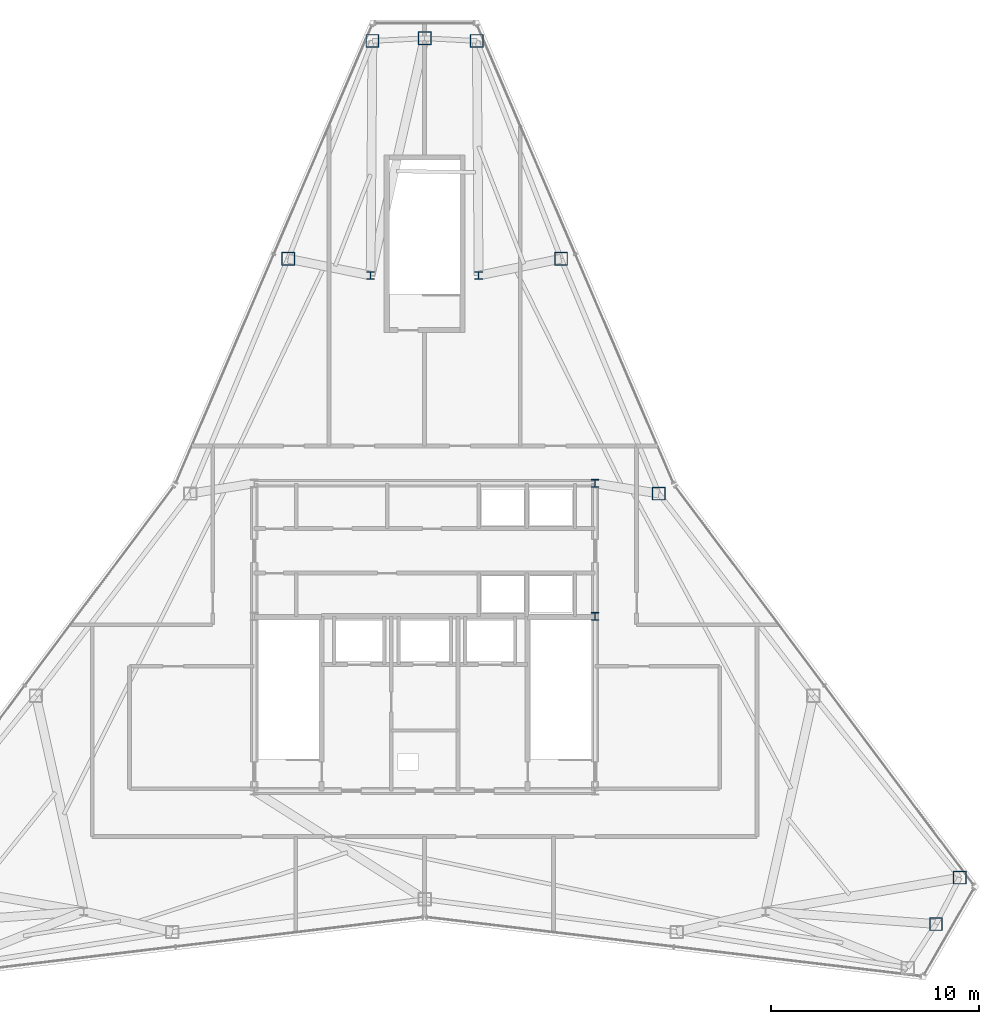
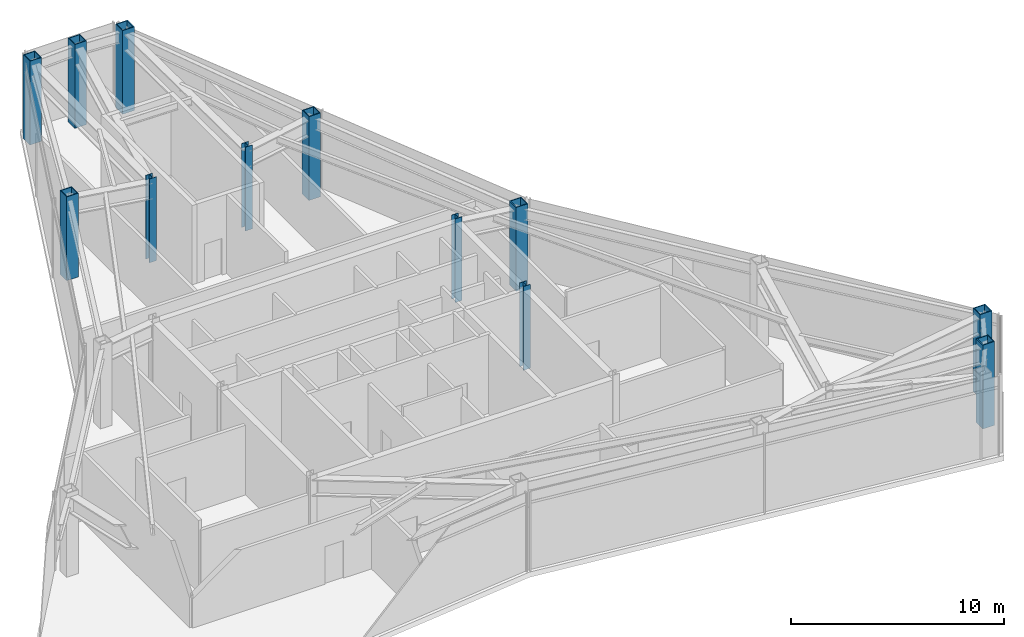
# One storey, part 2 of 11: 12 columns.
"""IFC4 building model written with IfcOpenShell, lengths in metres."""

from ifc_helpers import new_model, si_unit, direction, frame, origin, origin_2d, place, context, subcontext, project, spatial, hollow_rectangle, i_section, extrude, material, material_profile, profile_set, type_object, element, save


model = new_model("IFC4")

# Units and contexts
model_context = context("Model", 3, precision=1e-05, world=origin(), true_north=direction((0.0, 1.0)))
body_context = subcontext(model_context, "Body", "Model", "MODEL_VIEW")
ifc_project = project(units=[si_unit("LENGTHUNIT", "METRE"), si_unit("AREAUNIT", "SQUARE_METRE"), si_unit("VOLUMEUNIT", "CUBIC_METRE"), si_unit("PLANEANGLEUNIT", "RADIAN"), si_unit("MASSUNIT", "GRAM", prefix="KILO")], contexts=[model_context])

# Site, building, storey
site_placement = place(None, origin())
site = spatial("IfcSite", under=ifc_project, at=site_placement, CompositionType="ELEMENT")
building_placement = place(site_placement, origin())
building = spatial("IfcBuilding", under=site, at=building_placement, Name="Varakhsha Concourse Tower", CompositionType="ELEMENT")
storey_placement = place(building_placement, frame((0.0, 0.0, 290.0)))
storey = spatial("IfcBuildingStorey", under=building, at=storey_placement, Name="L82", CompositionType="ELEMENT", Elevation=290.0)

# Columns
ifc_material_1 = material(Name="Structural Steel ASTM A992 Grade 50", Category="steel")
ifc_material_profile_1 = material_profile(ifc_material_1, i_section(OverallWidth=0.3740234375, OverallDepth=0.3720703125, WebThickness=0.01611328125, FlangeThickness=0.02587890625, at=origin_2d()), Name="W14X132")
ifc_profile_set_1 = profile_set([ifc_material_profile_1], Name="Structural Steel ASTM A992 Grade 50")
column_type_1 = type_object("IfcColumnType", Name="CL-CORE-W14X132", PredefinedType="COLUMN", material=ifc_profile_set_1)
for number, where, z_axis, x_axis, name in (
    (1, (48.199951171875, 24.800048828125, 0.0), (0.0, 0.0, 1.0), (1.0, 0.0, 0.0), "L82 Core Column CC-ME"),
    (2, (48.199951171875, 31.199951171875, 0.0), (0.0, 0.0, 1.0), (1.0, 0.0, 0.0), "L82 Core Column CC-NE"),
    (3, (37.39990234375, 41.199951171875, 0.0), (0.0, 0.0, 1.0), (1.0, 0.0, 0.0), "L82 Core Column NS-W"),
    (4, (42.60009765625, 41.199951171875, 0.0), (0.0, 0.0, 1.0), (1.0, 0.0, 0.0), "L82 Core Column NS-E"),
):
    element("IfcColumn", number, at=place(storey_placement, frame(where, z_axis=z_axis, x_axis=x_axis)), inside=storey, type_object=column_type_1, Name=name, PredefinedType="COLUMN", context=body_context, shape_type="SweptSolid", body=[
        extrude(i_section(OverallWidth=0.3740234375, OverallDepth=0.3720703125, WebThickness=0.01611328125, FlangeThickness=0.02587890625, at=origin_2d()), origin(), (0.0, 0.0, 1.0), 4.800048828125),
    ])
ifc_material_2 = material(Name="Structural Steel ASTM A572 Grade 50", Category="steel")
ifc_material_profile_2 = material_profile(ifc_material_2, hollow_rectangle(XDim=0.639892578125, YDim=0.639892578125, WallThickness=0.044921875, at=origin_2d()), Name="BOX 640x640x45")
ifc_profile_set_2 = profile_set([ifc_material_profile_2], Name="Structural Steel ASTM A572 Grade 50")
column_type_2 = type_object("IfcColumnType", Name="CL-TUBE-640", PredefinedType="COLUMN", material=ifc_profile_set_2)
for number, where, z_axis, x_axis, name in (
    (5, (42.510498046875, 52.48876953125, 0.0), (0.0, 0.0, 1.0), (1.0, 0.0, 0.0), "L82 Framed-Tube Column TC01"),
    (6, (40.0, 52.61669921875, 0.0), (0.0, 0.0, 1.0), (1.0, 0.0, 0.0), "L82 Framed-Tube Column TC02"),
    (7, (37.489501953125, 52.48876953125, 0.0), (0.0, 0.0, 1.0), (1.0, 0.0, 0.0), "L82 Framed-Tube Column TC03"),
    (8, (33.43505859375, 42.008544921875, 0.0), (0.0, 0.0, 1.0), (1.0, 0.0, 0.0), "L82 Framed-Tube Column TC04"),
    (9, (64.609619140625, 9.99169921875, 0.0), (0.0, 0.0, 1.0), (1.0, 0.0, 0.0), "L82 Framed-Tube Column TC14"),
    (10, (65.75390625, 12.229736328125, 0.0), (0.0, 0.0, 1.0), (1.0, 0.0, 0.0), "L82 Framed-Tube Column TC15"),
    (11, (51.271240234375, 30.70751953125, 0.0), (0.0, 0.0, 1.0), (1.0, 0.0, 0.0), "L82 Framed-Tube Column TC17"),
    (12, (46.56494140625, 42.008544921875, 0.0), (0.0, 0.0, 1.0), (1.0, 0.0, 0.0), "L82 Framed-Tube Column TC18"),
):
    element("IfcColumn", number, at=place(storey_placement, frame(where, z_axis=z_axis, x_axis=x_axis)), inside=storey, type_object=column_type_2, Name=name, PredefinedType="COLUMN", context=body_context, shape_type="SweptSolid", body=[
        extrude(hollow_rectangle(XDim=0.639892578125, YDim=0.639892578125, WallThickness=0.044921875, at=origin_2d()), origin(), (0.0, 0.0, 1.0), 4.800048828125),
    ])

save(model, "model.ifc")
